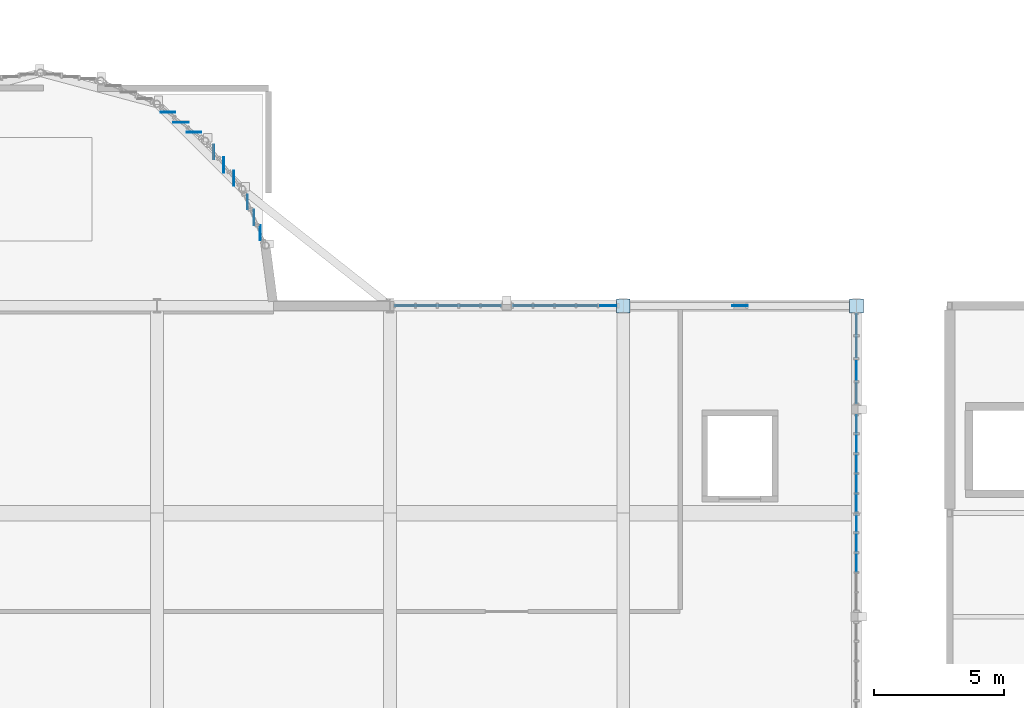
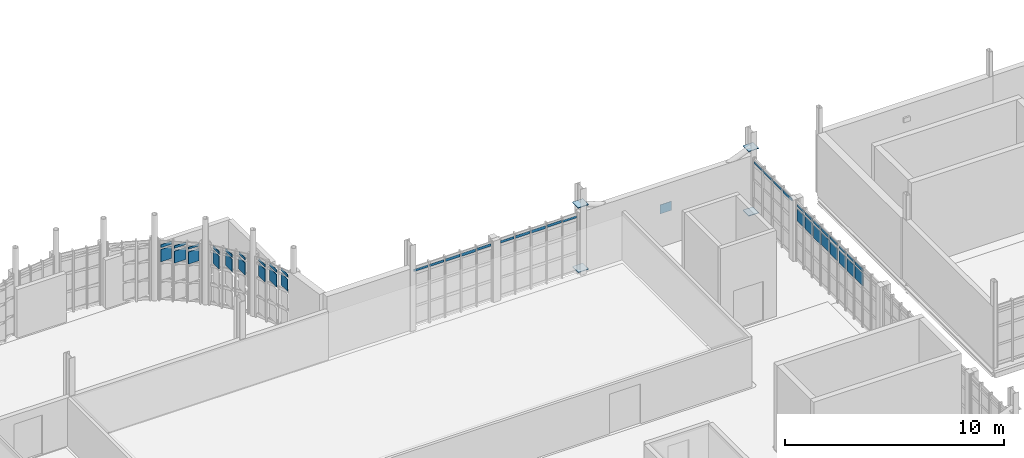
# One storey, part 102 of 128: 53 plates, 8 elements without a shape of their own.
"""IFC4 building model written with IfcOpenShell, lengths in metres."""

from ifc_helpers import new_model, si_unit, direction, frame, origin, origin_2d, place, context, subcontext, project, spatial, rectangle, extrude, material, layer, layer_set, type_object, element, aggregate, save


model = new_model("IFC4")

# Units and contexts
model_context = context("Model", 3, precision=1e-05, world=origin(), true_north=direction((0.0, 1.0)))
body_context = subcontext(model_context, "Body", "Model", "MODEL_VIEW")
ifc_project = project(units=[si_unit("LENGTHUNIT", "METRE"), si_unit("AREAUNIT", "SQUARE_METRE"), si_unit("VOLUMEUNIT", "CUBIC_METRE"), si_unit("PLANEANGLEUNIT", "RADIAN"), si_unit("MASSUNIT", "GRAM", prefix="KILO")], contexts=[model_context])

# Site, building, storey
site_placement = place(None, origin())
site = spatial("IfcSite", under=ifc_project, at=site_placement, CompositionType="ELEMENT")
building_placement = place(site_placement, origin())
building = spatial("IfcBuilding", under=site, at=building_placement, Name="Serraforn Aerial Cableway Station", CompositionType="ELEMENT")
storey_placement = place(building_placement, frame((0.0, 0.0, 9.0)))
storey = spatial("IfcBuildingStorey", under=building, at=storey_placement, Name="L02", CompositionType="ELEMENT", Elevation=9.0)

# Curtain wall, plate
ifc_material_1 = material(Name="Anodised bronze unitised curtain wall")
curtain_wall_type_1 = type_object("IfcCurtainWallType", Name="CW-SYS-25", PredefinedType="USERDEFINED", material=ifc_material_1)
curtain_wall_1_placement = place(storey_placement, origin())
curtain_wall_1 = element("IfcCurtainWall", 1, at=curtain_wall_1_placement, inside=storey, type_object=curtain_wall_type_1, Name="Unitised Curtain Wall CW-CV-L02-N6A", ObjectType="UNITISED CURTAIN WALL", PredefinedType="USERDEFINED")
ifc_material_2 = material(Name="Solar-control low-E double glazing", Category="glass")
ifc_layer_1 = layer(ifc_material_2, 0.02587890625)
ifc_layer_set_1 = layer_set([ifc_layer_1], Name="Solar-control low-E double glazing")
plate_type_1 = type_object("IfcPlateType", Name="CW-GLZ-1", PredefinedType="CURTAIN_PANEL", material=ifc_layer_set_1)
plate_1_placement = place(storey_placement, frame((81.010986328125, 42.0, 3.08251953125), z_axis=(0.0, 0.0, 1.0), x_axis=(1.0, 0.0, 0.0)))
plate_1 = element("IfcPlate", 2, at=plate_1_placement, type_object=plate_type_1, Name="Curtain Wall Panel CW-CV-L02-N6A-P1-4", PredefinedType="CURTAIN_PANEL", context=body_context, shape_type="SweptSolid", body=[
    extrude(rectangle(XDim=0.73583984375, YDim=0.02587890625, at=origin_2d()), origin(), (0.0, 0.0, 1.0), 0.1201171875),
])

# Curtain wall, plates
curtain_wall_type_2 = type_object("IfcCurtainWallType", Name="CW-SYS-2", PredefinedType="USERDEFINED", material=ifc_material_1)
curtain_wall_2_placement = place(storey_placement, origin())
curtain_wall_2 = element("IfcCurtainWall", 3, at=curtain_wall_2_placement, inside=storey, type_object=curtain_wall_type_2, Name="Unitised Curtain Wall CW-CV-L02-E2B", ObjectType="UNITISED CURTAIN WALL", PredefinedType="USERDEFINED")
plate_2_placement = place(storey_placement, frame((90.60009765625, 32.852783203125, 3.0673828125), z_axis=(0.0, 0.0, 1.0), x_axis=(1.0, 0.0, 0.0)))
plate_2 = element("IfcPlate", 4, at=plate_2_placement, type_object=plate_type_1, Name="Curtain Wall Panel CW-CV-L02-E2B-P4-4", PredefinedType="CURTAIN_PANEL", context=body_context, shape_type="SweptSolid", body=[
    extrude(rectangle(XDim=0.02587890625, YDim=0.700439453125, at=origin_2d()), origin(), (0.0, 0.0, 1.0), 0.150146484375),
])
plate_3_placement = place(storey_placement, frame((90.60009765625, 33.597900390625, 2.246826171875), z_axis=(0.0, 0.0, 1.0), x_axis=(1.0, 0.0, 0.0)))
plate_3 = element("IfcPlate", 5, at=plate_3_placement, type_object=plate_type_1, Name="Curtain Wall Panel CW-CV-L02-E2B-P5-3", PredefinedType="CURTAIN_PANEL", context=body_context, shape_type="SweptSolid", body=[
    extrude(rectangle(XDim=0.02587890625, YDim=0.657958984375, at=origin_2d()), origin(), (0.0, 0.0, 1.0), 0.697265625),
])

curtain_wall_type_3 = type_object("IfcCurtainWallType", Name="CW-SYS-3", PredefinedType="USERDEFINED", material=ifc_material_1)
curtain_wall_3_placement = place(storey_placement, origin())
curtain_wall_3 = element("IfcCurtainWall", 6, at=curtain_wall_3_placement, inside=storey, type_object=curtain_wall_type_3, Name="Unitised Curtain Wall CW-CV-L02-E3A", ObjectType="UNITISED CURTAIN WALL", PredefinedType="USERDEFINED")
plate_4_placement = place(storey_placement, frame((90.60009765625, 35.90869140625, 3.0673828125), z_axis=(0.0, 0.0, 1.0), x_axis=(1.0, 0.0, 0.0)))
plate_4 = element("IfcPlate", 7, at=plate_4_placement, type_object=plate_type_1, Name="Curtain Wall Panel CW-CV-L02-E3A-P3-4", PredefinedType="CURTAIN_PANEL", context=body_context, shape_type="SweptSolid", body=[
    extrude(rectangle(XDim=0.02587890625, YDim=0.700439453125, at=origin_2d()), origin(), (0.0, 0.0, 1.0), 0.150146484375),
])
plate_5_placement = place(storey_placement, frame((90.60009765625, 36.6728515625, 2.246826171875), z_axis=(0.0, 0.0, 1.0), x_axis=(1.0, 0.0, 0.0)))
plate_5 = element("IfcPlate", 8, at=plate_5_placement, type_object=plate_type_1, Name="Curtain Wall Panel CW-CV-L02-E3A-P4-3", PredefinedType="CURTAIN_PANEL", context=body_context, shape_type="SweptSolid", body=[
    extrude(rectangle(XDim=0.02587890625, YDim=0.695556640625, at=origin_2d()), origin(), (0.0, 0.0, 1.0), 0.697265625),
])

# Curtain wall, plate
curtain_wall_type_4 = type_object("IfcCurtainWallType", Name="CW-SYS-4", PredefinedType="USERDEFINED", material=ifc_material_1)
curtain_wall_4_placement = place(storey_placement, origin())
curtain_wall_4 = element("IfcCurtainWall", 9, at=curtain_wall_4_placement, inside=storey, type_object=curtain_wall_type_4, Name="Unitised Curtain Wall CW-CV-L02-E3B", ObjectType="UNITISED CURTAIN WALL", PredefinedType="USERDEFINED")
plate_6_placement = place(storey_placement, frame((90.60009765625, 39.5087890625, 3.0673828125), z_axis=(0.0, 0.0, 1.0), x_axis=(1.0, 0.0, 0.0)))
plate_6 = element("IfcPlate", 10, at=plate_6_placement, type_object=plate_type_1, Name="Curtain Wall Panel CW-CV-L02-E3B-P2-4", PredefinedType="CURTAIN_PANEL", context=body_context, shape_type="SweptSolid", body=[
    extrude(rectangle(XDim=0.02587890625, YDim=0.8232421875, at=origin_2d()), origin(), (0.0, 0.0, 1.0), 0.150146484375),
])

# Curtain wall, plates
curtain_wall_type_5 = type_object("IfcCurtainWallType", Name="CW-SYS-12", PredefinedType="USERDEFINED", material=ifc_material_1)
curtain_wall_5_placement = place(storey_placement, origin())
curtain_wall_5 = element("IfcCurtainWall", 11, at=curtain_wall_5_placement, inside=storey, type_object=curtain_wall_type_5, Name="Unitised Curtain Wall CW-AP-L02-R9", ObjectType="UNITISED CURTAIN WALL", PredefinedType="USERDEFINED")
plate_7_placement = place(storey_placement, frame((64.532958984375, 49.078369140625, 3.090087890625), z_axis=(0.0, 0.0, 1.0), x_axis=(1.0, 0.0, 0.0)))
plate_7 = element("IfcPlate", 12, at=plate_7_placement, type_object=plate_type_1, Name="Curtain Wall Panel CW-AP-L02-R9-P2-4", PredefinedType="CURTAIN_PANEL", context=body_context, shape_type="SweptSolid", body=[
    extrude(rectangle(XDim=0.603515625, YDim=0.02587890625, at=origin_2d()), origin(), (0.0, 0.0, 1.0), 0.14013671875),
])
plate_8_placement = place(storey_placement, frame((64.02490234375, 49.46826171875, 2.26953125), z_axis=(0.0, 0.0, 1.0), x_axis=(1.0, 0.0, 0.0)))
plate_8 = element("IfcPlate", 13, at=plate_8_placement, type_object=plate_type_1, Name="Curtain Wall Panel CW-AP-L02-R9-P3-3", PredefinedType="CURTAIN_PANEL", context=body_context, shape_type="SweptSolid", body=[
    extrude(rectangle(XDim=0.56591796875, YDim=0.02587890625, at=origin_2d()), origin(), (0.0, 0.0, 1.0), 0.687255859375),
])

curtain_wall_type_6 = type_object("IfcCurtainWallType", Name="CW-SYS-13", PredefinedType="USERDEFINED", material=ifc_material_1)
curtain_wall_6_placement = place(storey_placement, origin())
curtain_wall_6 = element("IfcCurtainWall", 14, at=curtain_wall_6_placement, inside=storey, type_object=curtain_wall_type_6, Name="Unitised Curtain Wall CW-AP-L02-R10", ObjectType="UNITISED CURTAIN WALL", PredefinedType="USERDEFINED")
plate_9_placement = place(storey_placement, frame((66.5712890625, 46.9208984375, 3.090087890625), z_axis=(0.0, 0.0, 1.0), x_axis=(1.0, 0.0, 0.0)))
plate_9 = element("IfcPlate", 15, at=plate_9_placement, type_object=plate_type_1, Name="Curtain Wall Panel CW-AP-L02-R10-P1-4", PredefinedType="CURTAIN_PANEL", context=body_context, shape_type="SweptSolid", body=[
    extrude(rectangle(XDim=0.02587890625, YDim=0.575927734375, at=origin_2d()), origin(), (0.0, 0.0, 1.0), 0.14013671875),
])
plate_10_placement = place(storey_placement, frame((66.179931640625, 47.430908203125, 2.26953125), z_axis=(0.0, 0.0, 1.0), x_axis=(1.0, 0.0, 0.0)))
plate_10 = element("IfcPlate", 16, at=plate_10_placement, type_object=plate_type_1, Name="Curtain Wall Panel CW-AP-L02-R10-P2-3", PredefinedType="CURTAIN_PANEL", context=body_context, shape_type="SweptSolid", body=[
    extrude(rectangle(XDim=0.02587890625, YDim=0.598388671875, at=origin_2d()), origin(), (0.0, 0.0, 1.0), 0.687255859375),
])

# Curtain wall, plate
curtain_wall_type_7 = type_object("IfcCurtainWallType", Name="CW-SYS-14", PredefinedType="USERDEFINED", material=ifc_material_1)
curtain_wall_7_placement = place(storey_placement, origin())
curtain_wall_7 = element("IfcCurtainWall", 17, at=curtain_wall_7_placement, inside=storey, type_object=curtain_wall_type_7, Name="Unitised Curtain Wall CW-AP-L02-R11", ObjectType="UNITISED CURTAIN WALL", PredefinedType="USERDEFINED")
plate_11_placement = place(storey_placement, frame((67.59326171875, 44.8125, 2.26953125), z_axis=(0.0, 0.0, 1.0), x_axis=(1.0, 0.0, 0.0)))
plate_11 = element("IfcPlate", 18, at=plate_11_placement, type_object=plate_type_1, Name="Curtain Wall Panel CW-AP-L02-R11-P1-3", PredefinedType="CURTAIN_PANEL", context=body_context, shape_type="SweptSolid", body=[
    extrude(rectangle(XDim=0.02587890625, YDim=0.5771484375, at=origin_2d()), origin(), (0.0, 0.0, 1.0), 0.687255859375),
])

# Plate
ifc_layer_2 = layer(ifc_material_2, 0.028076171875)
ifc_layer_set_2 = layer_set([ifc_layer_2], Name="Solar-control low-E double glazing")
plate_type_2 = type_object("IfcPlateType", Name="CW-GLZ-2", PredefinedType="CURTAIN_PANEL", material=ifc_layer_set_2)
plate_12_placement = place(storey_placement, frame((80.20166015625, 42.0, 3.090087890625), z_axis=(0.0, 0.0, 1.0), x_axis=(1.0, 0.0, 0.0)))
plate_12 = element("IfcPlate", 19, at=plate_12_placement, type_object=plate_type_2, Name="Curtain Wall Panel CW-CV-L02-N6A-P2-4", PredefinedType="CURTAIN_PANEL", context=body_context, shape_type="SweptSolid", body=[
    extrude(rectangle(XDim=0.781005859375, YDim=0.028076171875, at=origin_2d()), origin(), (0.0, 0.0, 1.0), 0.14013671875),
])

# Curtain wall, plate
curtain_wall_type_8 = type_object("IfcCurtainWallType", Name="CW-SYS-26", PredefinedType="USERDEFINED", material=ifc_material_1)
curtain_wall_8_placement = place(storey_placement, origin())
curtain_wall_8 = element("IfcCurtainWall", 20, at=curtain_wall_8_placement, inside=storey, type_object=curtain_wall_type_8, Name="Unitised Curtain Wall CW-CV-L02-N6B", ObjectType="UNITISED CURTAIN WALL", PredefinedType="USERDEFINED")
plate_13_placement = place(storey_placement, frame((76.490234375, 42.0, 3.090087890625), z_axis=(0.0, 0.0, 1.0), x_axis=(1.0, 0.0, 0.0)))
plate_13 = element("IfcPlate", 21, at=plate_13_placement, type_object=plate_type_2, Name="Curtain Wall Panel CW-CV-L02-N6B-P1-4", PredefinedType="CURTAIN_PANEL", context=body_context, shape_type="SweptSolid", body=[
    extrude(rectangle(XDim=0.75341796875, YDim=0.028076171875, at=origin_2d()), origin(), (0.0, 0.0, 1.0), 0.14013671875),
])

# Plate
plate_14_placement = place(storey_placement, frame((90.60009765625, 33.597900390625, 3.0751953125), z_axis=(0.0, 0.0, 1.0), x_axis=(1.0, 0.0, 0.0)))
plate_14 = element("IfcPlate", 22, at=plate_14_placement, type_object=plate_type_2, Name="Curtain Wall Panel CW-CV-L02-E2B-P5-4", PredefinedType="CURTAIN_PANEL", context=body_context, shape_type="SweptSolid", body=[
    extrude(rectangle(XDim=0.028076171875, YDim=0.657958984375, at=origin_2d()), origin(), (0.0, 0.0, 1.0), 0.135009765625),
])

plate_15_placement = place(storey_placement, frame((90.60009765625, 36.6728515625, 3.0751953125), z_axis=(0.0, 0.0, 1.0), x_axis=(1.0, 0.0, 0.0)))
plate_15 = element("IfcPlate", 23, at=plate_15_placement, type_object=plate_type_2, Name="Curtain Wall Panel CW-CV-L02-E3A-P4-4", PredefinedType="CURTAIN_PANEL", context=body_context, shape_type="SweptSolid", body=[
    extrude(rectangle(XDim=0.028076171875, YDim=0.695556640625, at=origin_2d()), origin(), (0.0, 0.0, 1.0), 0.135009765625),
])

plate_16_placement = place(storey_placement, frame((90.60009765625, 37.42919921875, 2.25439453125), z_axis=(0.0, 0.0, 1.0), x_axis=(1.0, 0.0, 0.0)))
plate_16 = element("IfcPlate", 24, at=plate_16_placement, type_object=plate_type_2, Name="Curtain Wall Panel CW-CV-L02-E3A-P5-3", PredefinedType="CURTAIN_PANEL", context=body_context, shape_type="SweptSolid", body=[
    extrude(rectangle(XDim=0.028076171875, YDim=0.675537109375, at=origin_2d()), origin(), (0.0, 0.0, 1.0), 0.682373046875),
])

plate_17_placement = place(storey_placement, frame((90.60009765625, 40.3955078125, 3.0751953125), z_axis=(0.0, 0.0, 1.0), x_axis=(1.0, 0.0, 0.0)))
plate_17 = element("IfcPlate", 25, at=plate_17_placement, type_object=plate_type_2, Name="Curtain Wall Panel CW-CV-L02-E3B-P3-4", PredefinedType="CURTAIN_PANEL", context=body_context, shape_type="SweptSolid", body=[
    extrude(rectangle(XDim=0.028076171875, YDim=0.818115234375, at=origin_2d()), origin(), (0.0, 0.0, 1.0), 0.135009765625),
])

plate_18_placement = place(storey_placement, frame((64.02490234375, 49.46826171875, 3.0625), z_axis=(0.0, 0.0, 1.0), x_axis=(1.0, 0.0, 0.0)))
plate_18 = element("IfcPlate", 26, at=plate_18_placement, type_object=plate_type_2, Name="Curtain Wall Panel CW-AP-L02-R9-P3-4", PredefinedType="CURTAIN_PANEL", context=body_context, shape_type="SweptSolid", body=[
    extrude(rectangle(XDim=0.56591796875, YDim=0.028076171875, at=origin_2d()), origin(), (0.0, 0.0, 1.0), 0.16259765625),
])

plate_19_placement = place(storey_placement, frame((66.179931640625, 47.430908203125, 3.0625), z_axis=(0.0, 0.0, 1.0), x_axis=(1.0, 0.0, 0.0)))
plate_19 = element("IfcPlate", 27, at=plate_19_placement, type_object=plate_type_2, Name="Curtain Wall Panel CW-AP-L02-R10-P2-4", PredefinedType="CURTAIN_PANEL", context=body_context, shape_type="SweptSolid", body=[
    extrude(rectangle(XDim=0.028076171875, YDim=0.598388671875, at=origin_2d()), origin(), (0.0, 0.0, 1.0), 0.16259765625),
])

plate_20_placement = place(storey_placement, frame((65.79052734375, 47.938232421875, 2.24169921875), z_axis=(0.0, 0.0, 1.0), x_axis=(1.0, 0.0, 0.0)))
plate_20 = element("IfcPlate", 28, at=plate_20_placement, type_object=plate_type_2, Name="Curtain Wall Panel CW-AP-L02-R10-P3-3", PredefinedType="CURTAIN_PANEL", context=body_context, shape_type="SweptSolid", body=[
    extrude(rectangle(XDim=0.028076171875, YDim=0.558349609375, at=origin_2d()), origin(), (0.0, 0.0, 1.0), 0.709716796875),
])

plate_21_placement = place(storey_placement, frame((67.59326171875, 44.8125, 3.0625), z_axis=(0.0, 0.0, 1.0), x_axis=(1.0, 0.0, 0.0)))
plate_21 = element("IfcPlate", 29, at=plate_21_placement, type_object=plate_type_2, Name="Curtain Wall Panel CW-AP-L02-R11-P1-4", PredefinedType="CURTAIN_PANEL", context=body_context, shape_type="SweptSolid", body=[
    extrude(rectangle(XDim=0.028076171875, YDim=0.5771484375, at=origin_2d()), origin(), (0.0, 0.0, 1.0), 0.16259765625),
])

plate_22_placement = place(storey_placement, frame((67.34423828125, 45.41357421875, 2.24169921875), z_axis=(0.0, 0.0, 1.0), x_axis=(1.0, 0.0, 0.0)))
plate_22 = element("IfcPlate", 30, at=plate_22_placement, type_object=plate_type_2, Name="Curtain Wall Panel CW-AP-L02-R11-P2-3", PredefinedType="CURTAIN_PANEL", context=body_context, shape_type="SweptSolid", body=[
    extrude(rectangle(XDim=0.028076171875, YDim=0.60205078125, at=origin_2d()), origin(), (0.0, 0.0, 1.0), 0.709716796875),
])

ifc_layer_3 = layer(ifc_material_2, 0.030029296875)
ifc_layer_set_3 = layer_set([ifc_layer_3], Name="Solar-control low-E double glazing")
plate_type_3 = type_object("IfcPlateType", Name="CW-GLZ-3", PredefinedType="CURTAIN_PANEL", material=ifc_layer_set_3)
plate_23_placement = place(storey_placement, frame((79.3671875, 42.0, 3.0625), z_axis=(0.0, 0.0, 1.0), x_axis=(1.0, 0.0, 0.0)))
plate_23 = element("IfcPlate", 31, at=plate_23_placement, type_object=plate_type_3, Name="Curtain Wall Panel CW-CV-L02-N6A-P3-4", PredefinedType="CURTAIN_PANEL", context=body_context, shape_type="SweptSolid", body=[
    extrude(rectangle(XDim=0.77587890625, YDim=0.030029296875, at=origin_2d()), origin(), (0.0, 0.0, 1.0), 0.16259765625),
])

plate_24_placement = place(storey_placement, frame((75.669677734375, 42.0, 3.0625), z_axis=(0.0, 0.0, 1.0), x_axis=(1.0, 0.0, 0.0)))
plate_24 = element("IfcPlate", 32, at=plate_24_placement, type_object=plate_type_3, Name="Curtain Wall Panel CW-CV-L02-N6B-P2-4", PredefinedType="CURTAIN_PANEL", context=body_context, shape_type="SweptSolid", body=[
    extrude(rectangle(XDim=0.77587890625, YDim=0.030029296875, at=origin_2d()), origin(), (0.0, 0.0, 1.0), 0.16259765625),
])

plate_25_placement = place(storey_placement, frame((90.60009765625, 37.42919921875, 3.08251953125), z_axis=(0.0, 0.0, 1.0), x_axis=(1.0, 0.0, 0.0)))
plate_25 = element("IfcPlate", 33, at=plate_25_placement, type_object=plate_type_3, Name="Curtain Wall Panel CW-CV-L02-E3A-P5-4", PredefinedType="CURTAIN_PANEL", context=body_context, shape_type="SweptSolid", body=[
    extrude(rectangle(XDim=0.030029296875, YDim=0.675537109375, at=origin_2d()), origin(), (0.0, 0.0, 1.0), 0.1201171875),
])

plate_26_placement = place(storey_placement, frame((90.60009765625, 41.27490234375, 3.08251953125), z_axis=(0.0, 0.0, 1.0), x_axis=(1.0, 0.0, 0.0)))
plate_26 = element("IfcPlate", 34, at=plate_26_placement, type_object=plate_type_3, Name="Curtain Wall Panel CW-CV-L02-E3B-P4-4", PredefinedType="CURTAIN_PANEL", context=body_context, shape_type="SweptSolid", body=[
    extrude(rectangle(XDim=0.030029296875, YDim=0.798095703125, at=origin_2d()), origin(), (0.0, 0.0, 1.0), 0.1201171875),
])

plate_27_placement = place(storey_placement, frame((65.79052734375, 47.938232421875, 3.0673828125), z_axis=(0.0, 0.0, 1.0), x_axis=(1.0, 0.0, 0.0)))
plate_27 = element("IfcPlate", 35, at=plate_27_placement, type_object=plate_type_3, Name="Curtain Wall Panel CW-AP-L02-R10-P3-4", PredefinedType="CURTAIN_PANEL", context=body_context, shape_type="SweptSolid", body=[
    extrude(rectangle(XDim=0.030029296875, YDim=0.558349609375, at=origin_2d()), origin(), (0.0, 0.0, 1.0), 0.150146484375),
])

plate_28_placement = place(storey_placement, frame((67.34423828125, 45.41357421875, 3.0673828125), z_axis=(0.0, 0.0, 1.0), x_axis=(1.0, 0.0, 0.0)))
plate_28 = element("IfcPlate", 36, at=plate_28_placement, type_object=plate_type_3, Name="Curtain Wall Panel CW-AP-L02-R11-P2-4", PredefinedType="CURTAIN_PANEL", context=body_context, shape_type="SweptSolid", body=[
    extrude(rectangle(XDim=0.030029296875, YDim=0.60205078125, at=origin_2d()), origin(), (0.0, 0.0, 1.0), 0.150146484375),
])

plate_29_placement = place(storey_placement, frame((67.0966796875, 46.01123046875, 2.246826171875), z_axis=(0.0, 0.0, 1.0), x_axis=(1.0, 0.0, 0.0)))
plate_29 = element("IfcPlate", 37, at=plate_29_placement, type_object=plate_type_3, Name="Curtain Wall Panel CW-AP-L02-R11-P3-3", PredefinedType="CURTAIN_PANEL", context=body_context, shape_type="SweptSolid", body=[
    extrude(rectangle(XDim=0.030029296875, YDim=0.5595703125, at=origin_2d()), origin(), (0.0, 0.0, 1.0), 0.697265625),
])

ifc_layer_4 = layer(ifc_material_2, 0.031982421875)
ifc_layer_set_4 = layer_set([ifc_layer_4], Name="Solar-control low-E double glazing")
plate_type_4 = type_object("IfcPlateType", Name="CW-GLZ-4", PredefinedType="CURTAIN_PANEL", material=ifc_layer_set_4)
plate_30_placement = place(storey_placement, frame((78.53271484375, 42.0, 3.0673828125), z_axis=(0.0, 0.0, 1.0), x_axis=(1.0, 0.0, 0.0)))
plate_30 = element("IfcPlate", 38, at=plate_30_placement, type_object=plate_type_4, Name="Curtain Wall Panel CW-CV-L02-N6A-P4-4", PredefinedType="CURTAIN_PANEL", context=body_context, shape_type="SweptSolid", body=[
    extrude(rectangle(XDim=0.77099609375, YDim=0.031982421875, at=origin_2d()), origin(), (0.0, 0.0, 1.0), 0.150146484375),
])

plate_31_placement = place(storey_placement, frame((74.835205078125, 42.0, 3.0673828125), z_axis=(0.0, 0.0, 1.0), x_axis=(1.0, 0.0, 0.0)))
plate_31 = element("IfcPlate", 39, at=plate_31_placement, type_object=plate_type_4, Name="Curtain Wall Panel CW-CV-L02-N6B-P3-4", PredefinedType="CURTAIN_PANEL", context=body_context, shape_type="SweptSolid", body=[
    extrude(rectangle(XDim=0.77099609375, YDim=0.031982421875, at=origin_2d()), origin(), (0.0, 0.0, 1.0), 0.150146484375),
])

plate_32_placement = place(storey_placement, frame((67.0966796875, 46.01123046875, 3.0751953125), z_axis=(0.0, 0.0, 1.0), x_axis=(1.0, 0.0, 0.0)))
plate_32 = element("IfcPlate", 40, at=plate_32_placement, type_object=plate_type_4, Name="Curtain Wall Panel CW-AP-L02-R11-P3-4", PredefinedType="CURTAIN_PANEL", context=body_context, shape_type="SweptSolid", body=[
    extrude(rectangle(XDim=0.031982421875, YDim=0.5595703125, at=origin_2d()), origin(), (0.0, 0.0, 1.0), 0.135009765625),
])

aggregate(curtain_wall_7, [plate_11, plate_21, plate_22, plate_28, plate_29, plate_32])

ifc_layer_5 = layer(ifc_material_2, 0.033935546875)
ifc_layer_set_5 = layer_set([ifc_layer_5], Name="Solar-control low-E double glazing")
plate_type_5 = type_object("IfcPlateType", Name="CW-GLZ-5", PredefinedType="CURTAIN_PANEL", material=ifc_layer_set_5)
plate_33_placement = place(storey_placement, frame((77.71728515625, 42.0, 3.0751953125), z_axis=(0.0, 0.0, 1.0), x_axis=(1.0, 0.0, 0.0)))
plate_33 = element("IfcPlate", 41, at=plate_33_placement, type_object=plate_type_5, Name="Curtain Wall Panel CW-CV-L02-N6A-P5-4", PredefinedType="CURTAIN_PANEL", context=body_context, shape_type="SweptSolid", body=[
    extrude(rectangle(XDim=0.728515625, YDim=0.033935546875, at=origin_2d()), origin(), (0.0, 0.0, 1.0), 0.135009765625),
])

aggregate(curtain_wall_1, [plate_1, plate_12, plate_23, plate_30, plate_33])

plate_34_placement = place(storey_placement, frame((74.000732421875, 42.0, 3.0751953125), z_axis=(0.0, 0.0, 1.0), x_axis=(1.0, 0.0, 0.0)))
plate_34 = element("IfcPlate", 42, at=plate_34_placement, type_object=plate_type_5, Name="Curtain Wall Panel CW-CV-L02-N6B-P4-4", PredefinedType="CURTAIN_PANEL", context=body_context, shape_type="SweptSolid", body=[
    extrude(rectangle(XDim=0.765869140625, YDim=0.033935546875, at=origin_2d()), origin(), (0.0, 0.0, 1.0), 0.135009765625),
])

ifc_layer_6 = layer(ifc_material_2, 0.035888671875)
ifc_layer_set_6 = layer_set([ifc_layer_6], Name="Solar-control low-E double glazing")
plate_type_6 = type_object("IfcPlateType", Name="CW-GLZ-6", PredefinedType="CURTAIN_PANEL", material=ifc_layer_set_6)
plate_35_placement = place(storey_placement, frame((73.174072265625, 42.0, 3.08251953125), z_axis=(0.0, 0.0, 1.0), x_axis=(1.0, 0.0, 0.0)))
plate_35 = element("IfcPlate", 43, at=plate_35_placement, type_object=plate_type_6, Name="Curtain Wall Panel CW-CV-L02-N6B-P5-4", PredefinedType="CURTAIN_PANEL", context=body_context, shape_type="SweptSolid", body=[
    extrude(rectangle(XDim=0.745849609375, YDim=0.035888671875, at=origin_2d()), origin(), (0.0, 0.0, 1.0), 0.1201171875),
])

aggregate(curtain_wall_8, [plate_13, plate_24, plate_31, plate_34, plate_35])

plate_36_placement = place(storey_placement, frame((90.60009765625, 34.39453125, 2.26171875), z_axis=(0.0, 0.0, 1.0), x_axis=(1.0, 0.0, 0.0)))
plate_36 = element("IfcPlate", 44, at=plate_36_placement, type_object=plate_type_6, Name="Curtain Wall Panel CW-CV-L02-E3A-P1-3", PredefinedType="CURTAIN_PANEL", context=body_context, shape_type="SweptSolid", body=[
    extrude(rectangle(XDim=0.035888671875, YDim=0.68310546875, at=origin_2d()), origin(), (0.0, 0.0, 1.0), 0.667236328125),
])

ifc_layer_7 = layer(ifc_material_2, 0.029052734375)
ifc_layer_set_7 = layer_set([ifc_layer_7], Name="Solar-control low-E double glazing")
plate_type_7 = type_object("IfcPlateType", Name="CW-GLZ-7", PredefinedType="CURTAIN_PANEL", material=ifc_layer_set_7)
plate_37_placement = place(storey_placement, frame((90.60009765625, 32.088623046875, 2.26953125), z_axis=(0.0, 0.0, 1.0), x_axis=(1.0, 0.0, 0.0)))
plate_37 = element("IfcPlate", 45, at=plate_37_placement, type_object=plate_type_7, Name="Curtain Wall Panel CW-CV-L02-E2B-P3-3", PredefinedType="CURTAIN_PANEL", context=body_context, shape_type="SweptSolid", body=[
    extrude(rectangle(XDim=0.029052734375, YDim=0.70556640625, at=origin_2d()), origin(), (0.0, 0.0, 1.0), 0.687255859375),
])

plate_38_placement = place(storey_placement, frame((90.60009765625, 34.39453125, 3.090087890625), z_axis=(0.0, 0.0, 1.0), x_axis=(1.0, 0.0, 0.0)))
plate_38 = element("IfcPlate", 46, at=plate_38_placement, type_object=plate_type_7, Name="Curtain Wall Panel CW-CV-L02-E3A-P1-4", PredefinedType="CURTAIN_PANEL", context=body_context, shape_type="SweptSolid", body=[
    extrude(rectangle(XDim=0.029052734375, YDim=0.68310546875, at=origin_2d()), origin(), (0.0, 0.0, 1.0), 0.14013671875),
])

plate_39_placement = place(storey_placement, frame((90.60009765625, 35.144775390625, 2.26953125), z_axis=(0.0, 0.0, 1.0), x_axis=(1.0, 0.0, 0.0)))
plate_39 = element("IfcPlate", 47, at=plate_39_placement, type_object=plate_type_7, Name="Curtain Wall Panel CW-CV-L02-E3A-P2-3", PredefinedType="CURTAIN_PANEL", context=body_context, shape_type="SweptSolid", body=[
    extrude(rectangle(XDim=0.029052734375, YDim=0.70556640625, at=origin_2d()), origin(), (0.0, 0.0, 1.0), 0.687255859375),
])

plate_40_placement = place(storey_placement, frame((65.0341796875, 48.693603515625, 2.25439453125), z_axis=(0.0, 0.0, 1.0), x_axis=(1.0, 0.0, 0.0)))
plate_40 = element("IfcPlate", 48, at=plate_40_placement, type_object=plate_type_7, Name="Curtain Wall Panel CW-AP-L02-R9-P1-3", PredefinedType="CURTAIN_PANEL", context=body_context, shape_type="SweptSolid", body=[
    extrude(rectangle(XDim=0.558349609375, YDim=0.029052734375, at=origin_2d()), origin(), (0.0, 0.0, 1.0), 0.682373046875),
])

ifc_layer_8 = layer(ifc_material_2, 0.031005859375)
ifc_layer_set_8 = layer_set([ifc_layer_8], Name="Solar-control low-E double glazing")
plate_type_8 = type_object("IfcPlateType", Name="CW-GLZ-8", PredefinedType="CURTAIN_PANEL", material=ifc_layer_set_8)
plate_41_placement = place(storey_placement, frame((90.60009765625, 32.088623046875, 3.0625), z_axis=(0.0, 0.0, 1.0), x_axis=(1.0, 0.0, 0.0)))
plate_41 = element("IfcPlate", 49, at=plate_41_placement, type_object=plate_type_8, Name="Curtain Wall Panel CW-CV-L02-E2B-P3-4", PredefinedType="CURTAIN_PANEL", context=body_context, shape_type="SweptSolid", body=[
    extrude(rectangle(XDim=0.031005859375, YDim=0.70556640625, at=origin_2d()), origin(), (0.0, 0.0, 1.0), 0.16259765625),
])

plate_42_placement = place(storey_placement, frame((90.60009765625, 32.852783203125, 2.24169921875), z_axis=(0.0, 0.0, 1.0), x_axis=(1.0, 0.0, 0.0)))
plate_42 = element("IfcPlate", 50, at=plate_42_placement, type_object=plate_type_8, Name="Curtain Wall Panel CW-CV-L02-E2B-P4-3", PredefinedType="CURTAIN_PANEL", context=body_context, shape_type="SweptSolid", body=[
    extrude(rectangle(XDim=0.031005859375, YDim=0.700439453125, at=origin_2d()), origin(), (0.0, 0.0, 1.0), 0.709716796875),
])

aggregate(curtain_wall_2, [plate_37, plate_41, plate_42, plate_2, plate_3, plate_14])

plate_43_placement = place(storey_placement, frame((90.60009765625, 35.144775390625, 3.0625), z_axis=(0.0, 0.0, 1.0), x_axis=(1.0, 0.0, 0.0)))
plate_43 = element("IfcPlate", 51, at=plate_43_placement, type_object=plate_type_8, Name="Curtain Wall Panel CW-CV-L02-E3A-P2-4", PredefinedType="CURTAIN_PANEL", context=body_context, shape_type="SweptSolid", body=[
    extrude(rectangle(XDim=0.031005859375, YDim=0.70556640625, at=origin_2d()), origin(), (0.0, 0.0, 1.0), 0.16259765625),
])

plate_44_placement = place(storey_placement, frame((90.60009765625, 35.90869140625, 2.24169921875), z_axis=(0.0, 0.0, 1.0), x_axis=(1.0, 0.0, 0.0)))
plate_44 = element("IfcPlate", 52, at=plate_44_placement, type_object=plate_type_8, Name="Curtain Wall Panel CW-CV-L02-E3A-P3-3", PredefinedType="CURTAIN_PANEL", context=body_context, shape_type="SweptSolid", body=[
    extrude(rectangle(XDim=0.031005859375, YDim=0.700439453125, at=origin_2d()), origin(), (0.0, 0.0, 1.0), 0.709716796875),
])

aggregate(curtain_wall_3, [plate_36, plate_38, plate_39, plate_43, plate_44, plate_4, plate_5, plate_15, plate_16, plate_25])

plate_45_placement = place(storey_placement, frame((90.60009765625, 38.63720703125, 3.0625), z_axis=(0.0, 0.0, 1.0), x_axis=(1.0, 0.0, 0.0)))
plate_45 = element("IfcPlate", 53, at=plate_45_placement, type_object=plate_type_8, Name="Curtain Wall Panel CW-CV-L02-E3B-P1-4", PredefinedType="CURTAIN_PANEL", context=body_context, shape_type="SweptSolid", body=[
    extrude(rectangle(XDim=0.031005859375, YDim=0.798095703125, at=origin_2d()), origin(), (0.0, 0.0, 1.0), 0.16259765625),
])

aggregate(curtain_wall_4, [plate_45, plate_6, plate_17, plate_26])

plate_46_placement = place(storey_placement, frame((65.0341796875, 48.693603515625, 3.08251953125), z_axis=(0.0, 0.0, 1.0), x_axis=(1.0, 0.0, 0.0)))
plate_46 = element("IfcPlate", 54, at=plate_46_placement, type_object=plate_type_8, Name="Curtain Wall Panel CW-AP-L02-R9-P1-4", PredefinedType="CURTAIN_PANEL", context=body_context, shape_type="SweptSolid", body=[
    extrude(rectangle(XDim=0.558349609375, YDim=0.031005859375, at=origin_2d()), origin(), (0.0, 0.0, 1.0), 0.1201171875),
])

plate_47_placement = place(storey_placement, frame((64.532958984375, 49.078369140625, 2.26171875), z_axis=(0.0, 0.0, 1.0), x_axis=(1.0, 0.0, 0.0)))
plate_47 = element("IfcPlate", 55, at=plate_47_placement, type_object=plate_type_8, Name="Curtain Wall Panel CW-AP-L02-R9-P2-3", PredefinedType="CURTAIN_PANEL", context=body_context, shape_type="SweptSolid", body=[
    extrude(rectangle(XDim=0.603515625, YDim=0.031005859375, at=origin_2d()), origin(), (0.0, 0.0, 1.0), 0.667236328125),
])

aggregate(curtain_wall_5, [plate_40, plate_46, plate_47, plate_7, plate_8, plate_18])

plate_48_placement = place(storey_placement, frame((66.5712890625, 46.9208984375, 2.26171875), z_axis=(0.0, 0.0, 1.0), x_axis=(1.0, 0.0, 0.0)))
plate_48 = element("IfcPlate", 56, at=plate_48_placement, type_object=plate_type_8, Name="Curtain Wall Panel CW-AP-L02-R10-P1-3", PredefinedType="CURTAIN_PANEL", context=body_context, shape_type="SweptSolid", body=[
    extrude(rectangle(XDim=0.031005859375, YDim=0.575927734375, at=origin_2d()), origin(), (0.0, 0.0, 1.0), 0.667236328125),
])

aggregate(curtain_wall_6, [plate_48, plate_9, plate_10, plate_19, plate_20, plate_27])

# Plates
ifc_material_3 = material(Name="Steel S355J2", Category="steel")
ifc_layer_9 = layer(ifc_material_3, 0.031982421875)
ifc_layer_set_9 = layer_set([ifc_layer_9], Name="Steel S355J2")
plate_type_9 = type_object("IfcPlateType", Name="PLT-CAP-32", PredefinedType="USERDEFINED", material=ifc_layer_set_9)
for number, where, z_axis, x_axis, name in (
    (57, (81.60009765625, 42.0, 0.18408203125), (0.0, 0.0, 1.0), (1.0, 0.0, 0.0), "Wind Brace Cap Plate 4-A"),
    (58, (90.60009765625, 42.0, 3.7841796875), (0.0, 0.0, 1.0), (1.0, 0.0, 0.0), "Wind Brace Cap Plate 4-B"),
    (59, (81.60009765625, 42.0, 3.7841796875), (0.0, 0.0, 1.0), (1.0, 0.0, 0.0), "Split X-Brace Outer Cap 4-A"),
    (60, (90.60009765625, 42.0, 0.18408203125), (0.0, 0.0, 1.0), (1.0, 0.0, 0.0), "Split X-Brace Outer Cap 4-B"),
):
    element("IfcPlate", number, at=place(storey_placement, frame(where, z_axis=z_axis, x_axis=x_axis)), inside=storey, type_object=plate_type_9, Name=name, ObjectType="CAP PLATE", PredefinedType="USERDEFINED", context=body_context, shape_type="SweptSolid", body=[
        extrude(rectangle(XDim=0.5400390625, YDim=0.5400390625, at=origin_2d()), origin(), (0.0, 0.0, 1.0), 0.031982421875),
    ])
ifc_layer_10 = layer(ifc_material_3, 0.02490234375)
ifc_layer_set_10 = layer_set([ifc_layer_10], Name="Steel S355J2")
plate_type_10 = type_object("IfcPlateType", Name="PLT-GUS-25X", PredefinedType="USERDEFINED", material=ifc_layer_set_10)
plate_49_placement = place(storey_placement, frame((86.10009765625, 42.0, 1.75), z_axis=(0.0, 0.0, 1.0), x_axis=(1.0, 0.0, 0.0)))
element("IfcPlate", 61, at=plate_49_placement, inside=storey, type_object=plate_type_10, Name="X-Brace Crossing Node Gusset 4", ObjectType="GUSSET PLATE", PredefinedType="USERDEFINED", context=body_context, shape_type="SweptSolid", body=[
    extrude(rectangle(XDim=0.60009765625, YDim=0.02490234375, at=origin_2d()), origin(), (0.0, 0.0, 1.0), 0.5),
])

save(model, "model.ifc")
